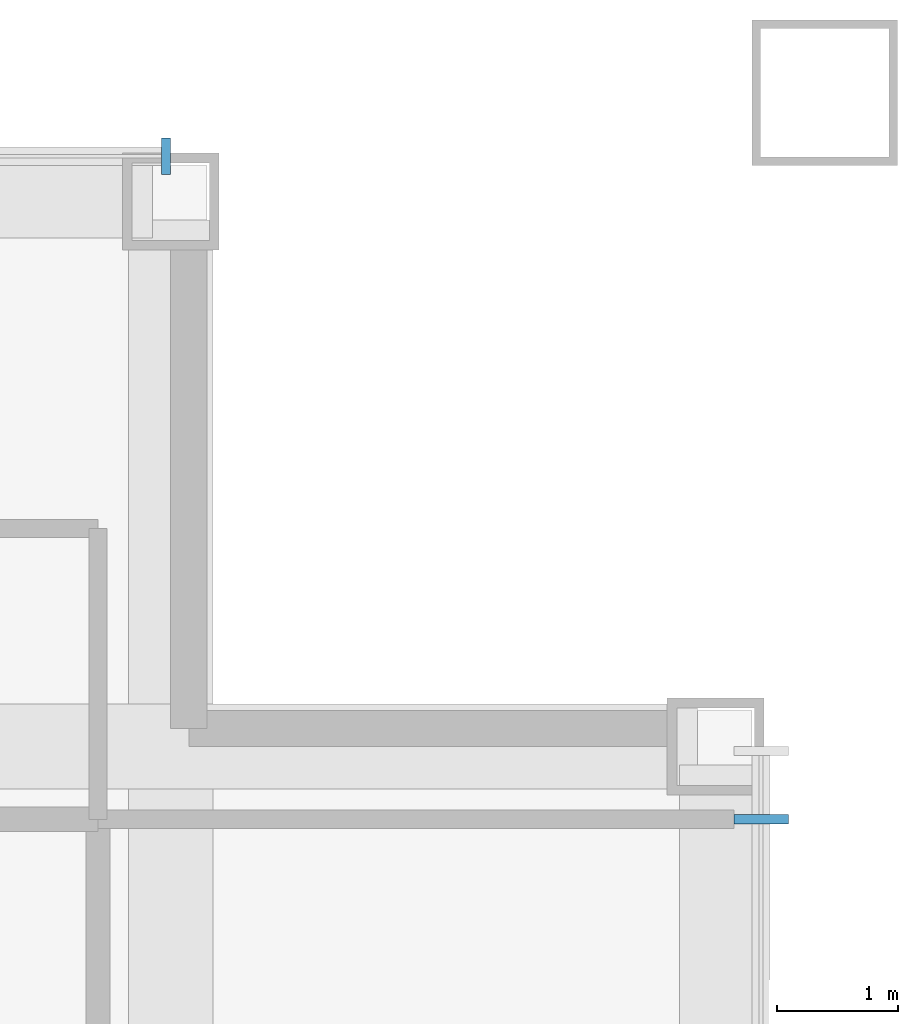
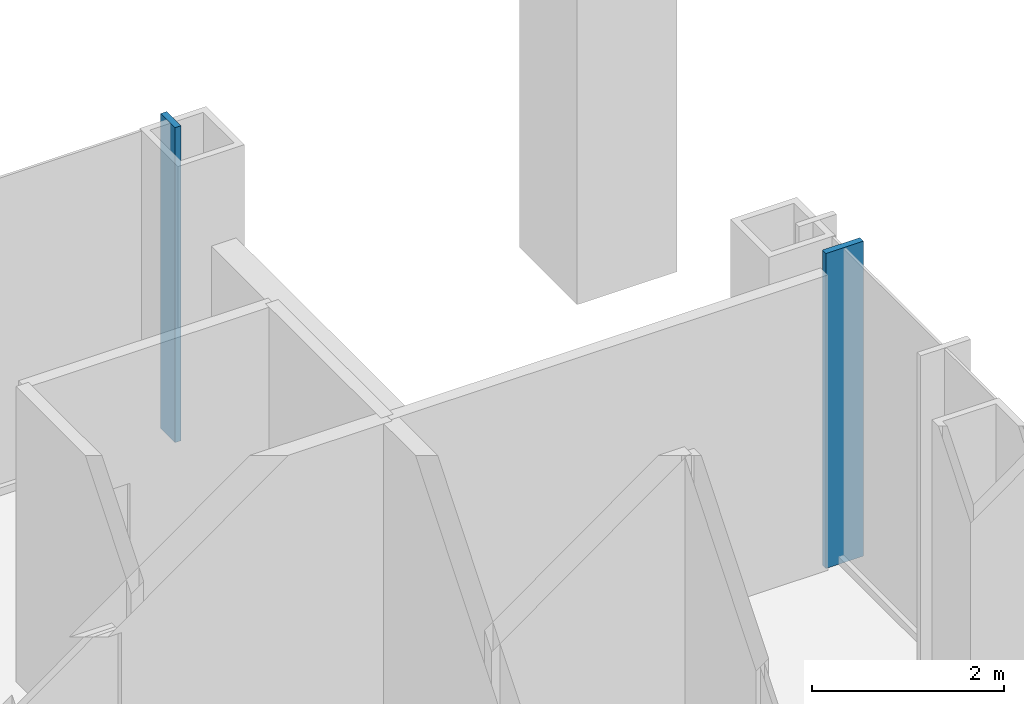
# One storey, part 5 of 18: 2 members, 2 elements without a shape of their own.
"""IFC4 building model written with IfcOpenShell, lengths in metres."""

from ifc_helpers import new_model, si_unit, direction, frame, origin, origin_2d, place, context, subcontext, project, spatial, rectangle, extrude, material, layer, layer_set, material_profile, profile_set, type_object, element, aggregate, save


model = new_model("IFC4")

# Units and contexts
model_context = context("Model", 3, precision=1e-05, world=origin(), true_north=direction((0.0, 1.0)))
body_context = subcontext(model_context, "Body", "Model", "MODEL_VIEW")
ifc_project = project(units=[si_unit("LENGTHUNIT", "METRE"), si_unit("AREAUNIT", "SQUARE_METRE"), si_unit("VOLUMEUNIT", "CUBIC_METRE"), si_unit("PLANEANGLEUNIT", "RADIAN"), si_unit("MASSUNIT", "GRAM", prefix="KILO")], contexts=[model_context])

# Site, building, storey
site_placement = place(None, origin())
site = spatial("IfcSite", under=ifc_project, at=site_placement, CompositionType="ELEMENT")
building_placement = place(site_placement, origin())
building = spatial("IfcBuilding", under=site, at=building_placement, Name="Malebo Sky Hospital", CompositionType="ELEMENT")
storey_placement = place(building_placement, frame((0.0, 0.0, 225.0)))
storey = spatial("IfcBuildingStorey", under=building, at=storey_placement, Name="L54", CompositionType="ELEMENT", Elevation=225.0)

# Curtain wall, member
ifc_material = material(Name="Anodised aluminium, natural silver", Category="aluminium")
ifc_layer_1 = layer(ifc_material, 0.25)
ifc_layer_set_1 = layer_set([ifc_layer_1], Name="WARD CURTAIN WALL NORTH AND SOUTH")
curtain_wall_type_1 = type_object("IfcCurtainWallType", Name="WARD CURTAIN WALL NORTH AND SOUTH", PredefinedType="NOTDEFINED", material=ifc_layer_set_1)
curtain_wall_1_placement = place(storey_placement, origin())
curtain_wall_1 = element("IfcCurtainWall", 1, at=curtain_wall_1_placement, inside=storey, type_object=curtain_wall_type_1, Name="NS curtain wall N", PredefinedType="NOTDEFINED")
ifc_material_profile_1 = material_profile(ifc_material, rectangle(XDim=0.074951171875, YDim=0.300048828125, at=origin_2d()), Name="CW1 ALUMINIUM FIN MULLION 75x300")
ifc_profile_set_1 = profile_set([ifc_material_profile_1], Name="Anodised aluminium, natural silver")
member_type_1 = type_object("IfcMemberType", Name="CW1 ALUMINIUM FIN MULLION 75x300", PredefinedType="MULLION", material=ifc_profile_set_1)
member_1_placement = place(storey_placement, frame((77.66259765625, 84.574951171875, 0.0), z_axis=(0.0, 0.0, 1.0), x_axis=(1.0, 0.0, 0.0)))
member_1 = element("IfcMember", 2, at=member_1_placement, type_object=member_type_1, Name="Fin mullion 14", PredefinedType="MULLION", context=body_context, shape_type="SweptSolid", body=[
    extrude(rectangle(XDim=0.074951171875, YDim=0.300048828125, at=origin_2d()), origin(), (0.0, 0.0, 1.0), 4.0),
])
aggregate(curtain_wall_1, [member_1])

ifc_layer_2 = layer(ifc_material, 0.25)
ifc_layer_set_2 = layer_set([ifc_layer_2], Name="WARD CURTAIN WALL EAST AND WEST")
curtain_wall_type_2 = type_object("IfcCurtainWallType", Name="WARD CURTAIN WALL EAST AND WEST", PredefinedType="NOTDEFINED", material=ifc_layer_set_2)
curtain_wall_2_placement = place(storey_placement, origin())
curtain_wall_2 = element("IfcCurtainWall", 3, at=curtain_wall_2_placement, inside=storey, type_object=curtain_wall_type_2, Name="EW curtain wall E", PredefinedType="NOTDEFINED")
ifc_material_profile_2 = material_profile(ifc_material, rectangle(XDim=0.074951171875, YDim=0.449951171875, at=origin_2d()), Name="CW2 ALUMINIUM FIN MULLION 75x450")
ifc_profile_set_2 = profile_set([ifc_material_profile_2], Name="Anodised aluminium, natural silver")
member_type_2 = type_object("IfcMemberType", Name="CW2 ALUMINIUM FIN MULLION 75x450", PredefinedType="MULLION", material=ifc_profile_set_2)
member_2_placement = place(storey_placement, frame((82.574951171875, 79.10009765625, 0.0), z_axis=(0.0, 0.0, 1.0), x_axis=(0.0, -1.0, 0.0)))
member_2 = element("IfcMember", 4, at=member_2_placement, type_object=member_type_2, Name="Fin mullion 2", PredefinedType="MULLION", context=body_context, shape_type="SweptSolid", body=[
    extrude(rectangle(XDim=0.074951171875, YDim=0.449951171875, at=origin_2d()), origin(), (0.0, 0.0, 1.0), 4.0),
])
aggregate(curtain_wall_2, [member_2])

save(model, "model.ifc")
